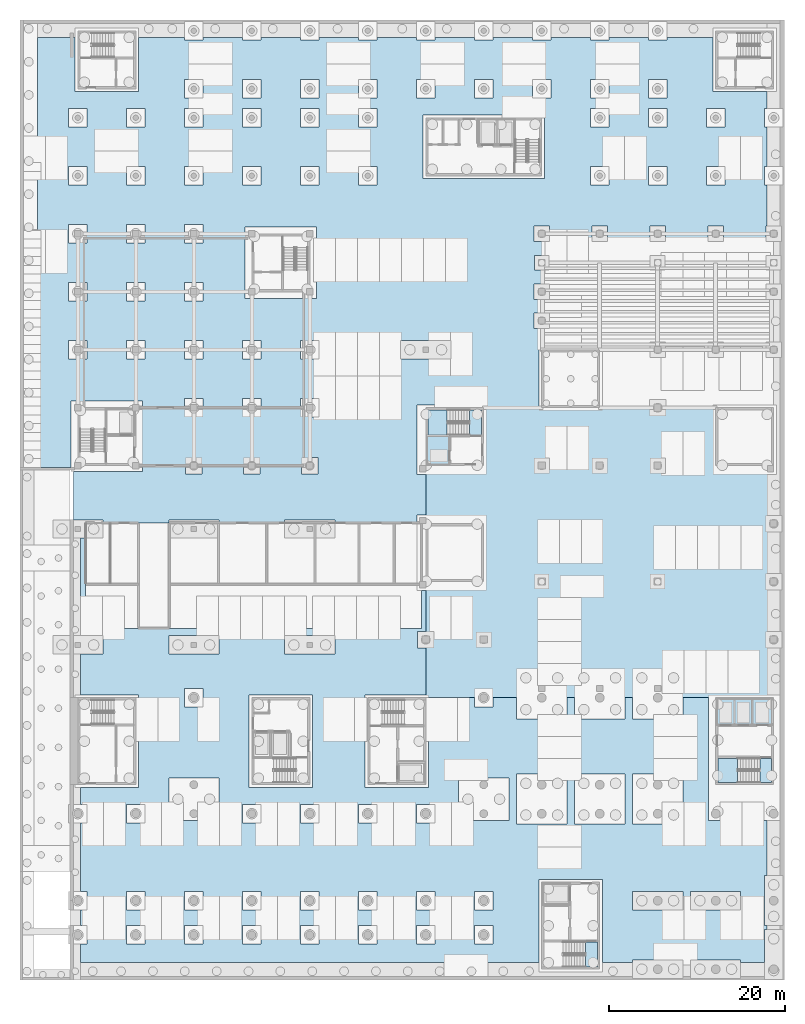
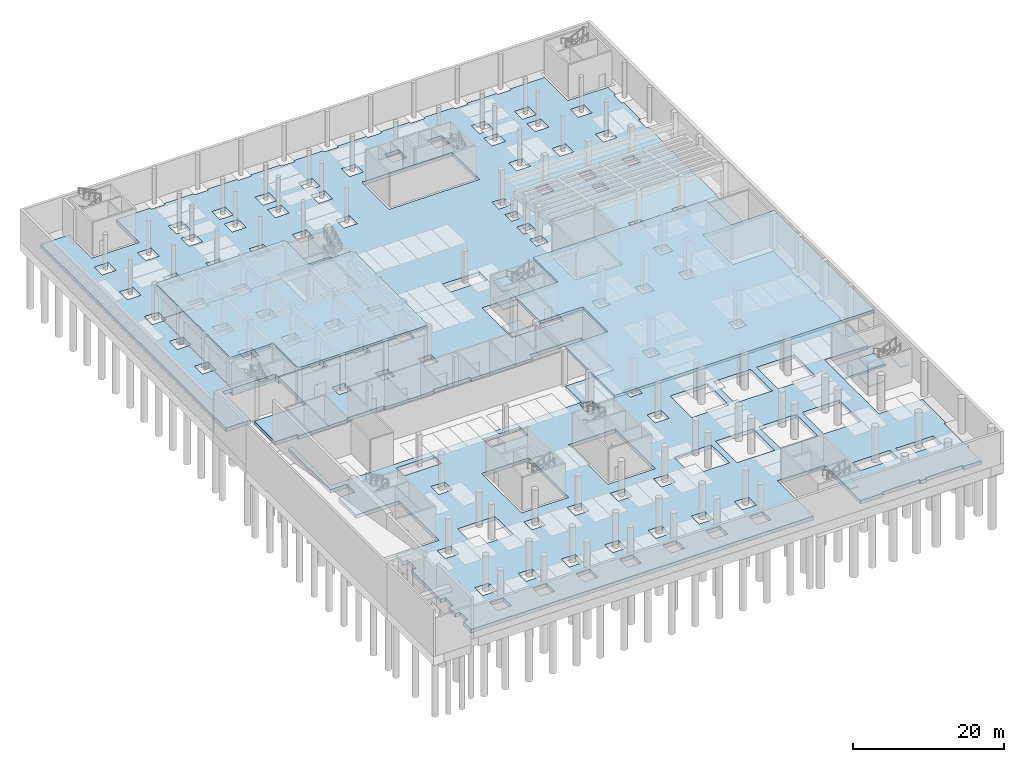
# One storey, part 8 of 38: 13 slabs, 3 elements without a shape of their own.
"""IFC4 building model written with IfcOpenShell, lengths in metres."""

from ifc_helpers import new_model, si_unit, direction, frame, origin, place, context, subcontext, project, spatial, polyline, outline, extrude, material, layer, layer_set, type_object, element, aggregate, save


model = new_model("IFC4")

# Units and contexts
model_context = context("Model", 3, precision=1e-05, world=origin(), true_north=direction((0.0, 1.0)))
body_context = subcontext(model_context, "Body", "Model", "MODEL_VIEW")
ifc_project = project(units=[si_unit("LENGTHUNIT", "METRE"), si_unit("AREAUNIT", "SQUARE_METRE"), si_unit("VOLUMEUNIT", "CUBIC_METRE"), si_unit("PLANEANGLEUNIT", "RADIAN"), si_unit("MASSUNIT", "GRAM", prefix="KILO")], contexts=[model_context])

# Site, building, storey
site_placement = place(None, origin())
site = spatial("IfcSite", under=ifc_project, at=site_placement, CompositionType="ELEMENT")
building_placement = place(site_placement, origin())
building = spatial("IfcBuilding", under=site, at=building_placement, Name="Lantern Court Research Institute", CompositionType="ELEMENT")
storey_placement = place(building_placement, frame((0.0, 0.0, -5.699951171875)))
storey = spatial("IfcBuildingStorey", under=building, at=storey_placement, Name="B1", CompositionType="ELEMENT", Elevation=-5.699951171875)

# Slabs
ifc_material_1 = material(Name="Concrete C30/37", Category="concrete")
ifc_layer_1 = layer(ifc_material_1, 1.199951171875)
ifc_layer_set_1 = layer_set([ifc_layer_1], Name="Concrete C30/37")
slab_type_1 = type_object("IfcSlabType", Name="Base slab 1200", PredefinedType="BASESLAB", material=ifc_layer_set_1)
slab_1_placement = place(storey_placement, frame((0.0, 0.0, -1.199951171875)))
element("IfcSlab", 1, at=slab_1_placement, inside=storey, type_object=slab_type_1, Name="Base slab BS2", PredefinedType="BASESLAB", context=body_context, shape_type="SweptSolid", body=[
    extrude(outline(polyline([(7.35009765625, 56.85009765625), (0.699951171875, 56.85009765625), (0.699951171875, 61.64990234375), (1.050048828125, 61.64990234375), (1.050048828125, 63.75), (0.699951171875, 63.75), (0.699951171875, 68.25), (1.050048828125, 68.25), (1.050048828125, 70.35009765625), (0.699951171875, 70.35009765625), (0.699951171875, 74.85009765625), (1.050048828125, 74.85009765625), (1.050048828125, 75.39990234375), (5.550048828125, 75.39990234375), (5.550048828125, 74.85009765625), (7.64990234375, 74.85009765625), (7.64990234375, 75.39990234375), (12.14990234375, 75.39990234375), (12.14990234375, 74.85009765625), (14.25, 74.85009765625), (14.25, 75.39990234375), (19.050048828125, 75.39990234375), (19.050048828125, 68.550048828125), (25.699951171875, 68.550048828125), (25.699951171875, 63.75), (25.35009765625, 63.75), (25.35009765625, 61.64990234375), (25.699951171875, 61.64990234375), (25.699951171875, 57.14990234375), (25.35009765625, 57.14990234375), (25.35009765625, 56.10009765625), (20.85009765625, 56.10009765625), (20.85009765625, 57.14990234375), (18.75, 57.14990234375), (18.75, 56.10009765625), (14.25, 56.10009765625), (14.25, 57.14990234375), (12.14990234375, 57.14990234375), (12.14990234375, 56.10009765625), (7.35009765625, 56.10009765625), (7.35009765625, 56.85009765625)]), holes=[polyline([(14.25, 61.64990234375), (14.25, 63.75), (12.14990234375, 63.75), (12.14990234375, 61.64990234375), (14.25, 61.64990234375)]), polyline([(5.550048828125, 61.64990234375), (7.64990234375, 61.64990234375), (7.64990234375, 63.75), (5.550048828125, 63.75), (5.550048828125, 61.64990234375)]), polyline([(7.64990234375, 68.25), (7.64990234375, 70.35009765625), (5.550048828125, 70.35009765625), (5.550048828125, 68.25), (7.64990234375, 68.25)]), polyline([(14.25, 68.25), (14.25, 70.35009765625), (12.14990234375, 70.35009765625), (12.14990234375, 68.25), (14.25, 68.25)]), polyline([(20.85009765625, 61.64990234375), (20.85009765625, 63.75), (18.75, 63.75), (18.75, 61.64990234375), (20.85009765625, 61.64990234375)])]), origin(), (0.0, 0.0, 1.0), 1.199951171875),
])
ifc_material_2 = material(Name="Concrete C30/37", Category="concrete")
ifc_layer_2 = layer(ifc_material_2, 0.60009765625)
ifc_layer_set_2 = layer_set([ifc_layer_2], Name="Concrete C30/37")
slab_type_2 = type_object("IfcSlabType", Name="Base slab 600", PredefinedType="BASESLAB", material=ifc_layer_set_2)
slab_2_placement = place(storey_placement, frame((0.0, 0.0, -0.60009765625)))
element("IfcSlab", 2, at=slab_2_placement, inside=storey, type_object=slab_type_2, Name="Base slab BS4", PredefinedType="BASESLAB", context=body_context, shape_type="SweptSolid", body=[
    extrude(outline(polyline([(12.14990234375, 56.10009765625), (12.14990234375, 55.050048828125), (14.25, 55.050048828125), (14.25, 56.10009765625), (18.75, 56.10009765625), (18.75, 55.050048828125), (20.85009765625, 55.050048828125), (20.85009765625, 56.10009765625), (25.35009765625, 56.10009765625), (25.35009765625, 55.050048828125), (27.449951171875, 55.050048828125), (27.449951171875, 57.14990234375), (25.699951171875, 57.14990234375), (25.699951171875, 61.64990234375), (27.449951171875, 61.64990234375), (27.449951171875, 63.75), (25.699951171875, 63.75), (25.699951171875, 68.550048828125), (27.14990234375, 68.550048828125), (27.14990234375, 76.64990234375), (19.050048828125, 76.64990234375), (19.050048828125, 75.39990234375), (14.25, 75.39990234375), (14.25, 76.949951171875), (12.14990234375, 76.949951171875), (12.14990234375, 75.39990234375), (7.64990234375, 75.39990234375), (7.64990234375, 76.949951171875), (5.550048828125, 76.949951171875), (5.550048828125, 75.39990234375), (1.050048828125, 75.39990234375), (1.050048828125, 76.949951171875), (-1.050048828125, 76.949951171875), (-1.050048828125, 74.85009765625), (0.699951171875, 74.85009765625), (0.699951171875, 70.35009765625), (-1.050048828125, 70.35009765625), (-1.050048828125, 68.25), (0.699951171875, 68.25), (0.699951171875, 63.75), (-1.050048828125, 63.75), (-1.050048828125, 61.64990234375), (0.699951171875, 61.64990234375), (0.699951171875, 56.85009765625), (-0.75, 56.85009765625), (-0.75, 49.300048828125), (-0.89990234375, 49.300048828125), (-4.580078125, 49.300048828125), (-4.580078125, 98.22998046875), (-0.300048828125, 98.22998046875), (-0.300048828125, 92.10009765625), (6.89990234375, 92.10009765625), (6.89990234375, 98.22998046875), (12.14990234375, 98.22998046875), (12.14990234375, 97.949951171875), (14.25, 97.949951171875), (14.25, 98.22998046875), (18.75, 98.22998046875), (18.75, 97.949951171875), (20.85009765625, 97.949951171875), (20.85009765625, 98.22998046875), (25.35009765625, 98.22998046875), (25.35009765625, 97.949951171875), (27.449951171875, 97.949951171875), (27.449951171875, 98.22998046875), (31.949951171875, 98.22998046875), (31.949951171875, 97.949951171875), (34.050048828125, 97.949951171875), (34.050048828125, 98.22998046875), (38.550048828125, 98.22998046875), (38.550048828125, 97.949951171875), (40.64990234375, 97.949951171875), (40.64990234375, 98.22998046875), (45.14990234375, 98.22998046875), (45.14990234375, 97.949951171875), (47.25, 97.949951171875), (47.25, 98.22998046875), (51.75, 98.22998046875), (51.75, 97.949951171875), (53.85009765625, 97.949951171875), (53.85009765625, 98.22998046875), (58.35009765625, 98.22998046875), (58.35009765625, 97.949951171875), (60.449951171875, 97.949951171875), (60.449951171875, 98.22998046875), (64.949951171875, 98.22998046875), (64.949951171875, 97.949951171875), (67.050048828125, 97.949951171875), (67.050048828125, 98.22998046875), (72.300048828125, 98.22998046875), (72.300048828125, 92.10009765625), (78.429931640625, 92.10009765625), (78.429931640625, 90.14990234375), (78.14990234375, 90.14990234375), (78.14990234375, 88.050048828125), (78.429931640625, 88.050048828125), (78.429931640625, 83.550048828125), (78.14990234375, 83.550048828125), (78.14990234375, 81.449951171875), (78.429931640625, 81.449951171875), (78.429931640625, 76.800048828125), (78.300048828125, 76.800048828125), (78.300048828125, 75.0), (78.429931640625, 75.0), (78.429931640625, 73.449951171875), (78.35009765625, 73.449951171875), (78.35009765625, 71.75), (78.429931640625, 71.75), (78.429931640625, 70.199951171875), (78.300048828125, 70.199951171875), (78.300048828125, 68.39990234375), (78.429931640625, 68.39990234375), (78.429931640625, 63.60009765625), (78.300048828125, 63.60009765625), (78.300048828125, 61.800048828125), (78.429931640625, 61.800048828125), (78.429931640625, 56.39990234375), (72.300048828125, 56.39990234375), (72.300048828125, 48.5), (78.429931640625, 48.5), (78.429931640625, 43.85009765625), (78.25, 43.85009765625), (78.25, 41.949951171875), (78.429931640625, 41.949951171875), (78.429931640625, 37.25), (78.25, 37.25), (78.25, 35.35009765625), (78.429931640625, 35.35009765625), (78.429931640625, 30.64990234375), (78.25, 30.64990234375), (78.25, 28.75), (78.429931640625, 28.75), (78.429931640625, 23.39990234375), (71.800048828125, 23.39990234375), (71.800048828125, 9.10009765625), (78.429931640625, 9.10009765625), (78.429931640625, 2.85009765625), (78.14990234375, 2.85009765625), (78.14990234375, -2.85009765625), (78.429931640625, -2.85009765625), (78.429931640625, -3.300048828125), (78.14990234375, -3.300048828125), (78.14990234375, -7.030029296875), (75.449951171875, -7.030029296875), (75.449951171875, -6.75), (69.75, -6.75), (69.75, -7.030029296875), (68.85009765625, -7.030029296875), (68.85009765625, -6.75), (63.14990234375, -6.75), (63.14990234375, -7.030029296875), (59.699951171875, -7.030029296875), (59.699951171875, 2.39990234375), (52.5, 2.39990234375), (52.5, -7.030029296875), (0.300048828125, -7.030029296875), (0.300048828125, -4.949951171875), (1.050048828125, -4.949951171875), (1.050048828125, -2.85009765625), (0.300048828125, -2.85009765625), (0.300048828125, -1.050048828125), (1.050048828125, -1.050048828125), (1.050048828125, 1.050048828125), (0.300048828125, 1.050048828125), (0.300048828125, 8.85009765625), (1.050048828125, 8.85009765625), (1.050048828125, 10.949951171875), (0.300048828125, 10.949951171875), (0.300048828125, 12.89990234375), (6.89990234375, 12.89990234375), (6.89990234375, 23.39990234375), (0.300048828125, 23.39990234375), (0.300048828125, 28.050048828125), (2.85009765625, 28.050048828125), (2.85009765625, 30.14990234375), (0.300048828125, 30.14990234375), (0.300048828125, 41.25), (0.89990234375, 41.25), (0.89990234375, 31.0), (39.10009765625, 31.0), (39.10009765625, 35.300048828125), (46.5, 35.300048828125), (46.5, 43.89990234375), (38.60009765625, 43.89990234375), (38.60009765625, 43.0), (29.25, 43.0), (29.25, 43.35009765625), (23.550048828125, 43.35009765625), (23.550048828125, 43.0), (16.050048828125, 43.0), (16.050048828125, 43.35009765625), (10.35009765625, 43.35009765625), (10.35009765625, 43.0), (2.85009765625, 43.0), (2.85009765625, 43.35009765625), (-0.5, 43.35009765625), (-0.5, 48.85009765625), (7.35009765625, 48.85009765625), (7.35009765625, 56.10009765625), (12.14990234375, 56.10009765625)]), holes=[polyline([(14.25, -2.85009765625), (12.14990234375, -2.85009765625), (12.14990234375, -4.949951171875), (14.25, -4.949951171875), (14.25, -2.85009765625)]), polyline([(7.64990234375, -2.85009765625), (5.550048828125, -2.85009765625), (5.550048828125, -4.949951171875), (7.64990234375, -4.949951171875), (7.64990234375, -2.85009765625)]), polyline([(14.25, 1.050048828125), (12.14990234375, 1.050048828125), (12.14990234375, -1.050048828125), (14.25, -1.050048828125), (14.25, 1.050048828125)]), polyline([(7.64990234375, 1.050048828125), (5.550048828125, 1.050048828125), (5.550048828125, -1.050048828125), (7.64990234375, -1.050048828125), (7.64990234375, 1.050048828125)]), polyline([(7.64990234375, 10.949951171875), (5.550048828125, 10.949951171875), (5.550048828125, 8.85009765625), (7.64990234375, 8.85009765625), (7.64990234375, 10.949951171875)]), polyline([(16.050048828125, 13.949951171875), (10.35009765625, 13.949951171875), (10.35009765625, 9.14990234375), (16.050048828125, 9.14990234375), (16.050048828125, 13.949951171875)]), polyline([(14.25, 24.14990234375), (12.14990234375, 24.14990234375), (12.14990234375, 22.050048828125), (14.25, 22.050048828125), (14.25, 24.14990234375)]), polyline([(16.050048828125, 30.14990234375), (10.35009765625, 30.14990234375), (10.35009765625, 28.050048828125), (16.050048828125, 28.050048828125), (16.050048828125, 30.14990234375)]), polyline([(14.14990234375, 50.449951171875), (12.25, 50.449951171875), (12.25, 48.550048828125), (14.14990234375, 48.550048828125), (14.14990234375, 50.449951171875)]), polyline([(1.050048828125, 83.550048828125), (-1.050048828125, 83.550048828125), (-1.050048828125, 81.449951171875), (1.050048828125, 81.449951171875), (1.050048828125, 83.550048828125)]), polyline([(7.64990234375, 83.550048828125), (5.550048828125, 83.550048828125), (5.550048828125, 81.449951171875), (7.64990234375, 81.449951171875), (7.64990234375, 83.550048828125)]), polyline([(7.64990234375, 88.050048828125), (7.64990234375, 90.14990234375), (5.550048828125, 90.14990234375), (5.550048828125, 88.050048828125), (7.64990234375, 88.050048828125)]), polyline([(1.050048828125, 88.050048828125), (1.050048828125, 90.14990234375), (-1.050048828125, 90.14990234375), (-1.050048828125, 88.050048828125), (1.050048828125, 88.050048828125)]), polyline([(34.050048828125, -2.85009765625), (31.949951171875, -2.85009765625), (31.949951171875, -4.949951171875), (34.050048828125, -4.949951171875), (34.050048828125, -2.85009765625)]), polyline([(20.85009765625, -2.85009765625), (18.75, -2.85009765625), (18.75, -4.949951171875), (20.85009765625, -4.949951171875), (20.85009765625, -2.85009765625)]), polyline([(27.449951171875, -2.85009765625), (25.35009765625, -2.85009765625), (25.35009765625, -4.949951171875), (27.449951171875, -4.949951171875), (27.449951171875, -2.85009765625)]), polyline([(34.050048828125, 1.050048828125), (31.949951171875, 1.050048828125), (31.949951171875, -1.050048828125), (34.050048828125, -1.050048828125), (34.050048828125, 1.050048828125)]), polyline([(20.85009765625, 1.050048828125), (18.75, 1.050048828125), (18.75, -1.050048828125), (20.85009765625, -1.050048828125), (20.85009765625, 1.050048828125)]), polyline([(27.449951171875, 1.050048828125), (25.35009765625, 1.050048828125), (25.35009765625, -1.050048828125), (27.449951171875, -1.050048828125), (27.449951171875, 1.050048828125)]), polyline([(27.449951171875, 8.85009765625), (27.449951171875, 10.949951171875), (25.35009765625, 10.949951171875), (25.35009765625, 8.85009765625), (27.449951171875, 8.85009765625)]), polyline([(20.85009765625, 8.85009765625), (20.85009765625, 10.949951171875), (18.75, 10.949951171875), (18.75, 8.85009765625), (20.85009765625, 8.85009765625)]), polyline([(34.050048828125, 10.949951171875), (31.949951171875, 10.949951171875), (31.949951171875, 8.85009765625), (34.050048828125, 8.85009765625), (34.050048828125, 10.949951171875)]), polyline([(39.89990234375, 23.39990234375), (32.699951171875, 23.39990234375), (32.699951171875, 12.89990234375), (39.89990234375, 12.89990234375), (39.89990234375, 23.39990234375)]), polyline([(26.699951171875, 23.39990234375), (19.5, 23.39990234375), (19.5, 12.89990234375), (26.699951171875, 12.89990234375), (26.699951171875, 23.39990234375)]), polyline([(29.25, 30.14990234375), (23.550048828125, 30.14990234375), (23.550048828125, 28.050048828125), (29.25, 28.050048828125), (29.25, 30.14990234375)]), polyline([(20.75, 50.449951171875), (18.85009765625, 50.449951171875), (18.85009765625, 48.550048828125), (20.75, 48.550048828125), (20.75, 50.449951171875)]), polyline([(27.35009765625, 50.449951171875), (25.449951171875, 50.449951171875), (25.449951171875, 48.550048828125), (27.35009765625, 48.550048828125), (27.35009765625, 50.449951171875)]), polyline([(27.449951171875, 83.550048828125), (25.35009765625, 83.550048828125), (25.35009765625, 81.449951171875), (27.449951171875, 81.449951171875), (27.449951171875, 83.550048828125)]), polyline([(20.85009765625, 83.550048828125), (18.75, 83.550048828125), (18.75, 81.449951171875), (20.85009765625, 81.449951171875), (20.85009765625, 83.550048828125)]), polyline([(14.25, 83.550048828125), (12.14990234375, 83.550048828125), (12.14990234375, 81.449951171875), (14.25, 81.449951171875), (14.25, 83.550048828125)]), polyline([(34.050048828125, 81.449951171875), (34.050048828125, 83.550048828125), (31.949951171875, 83.550048828125), (31.949951171875, 81.449951171875), (34.050048828125, 81.449951171875)]), polyline([(34.050048828125, 88.050048828125), (34.050048828125, 90.14990234375), (31.949951171875, 90.14990234375), (31.949951171875, 88.050048828125), (34.050048828125, 88.050048828125)]), polyline([(20.85009765625, 90.14990234375), (18.75, 90.14990234375), (18.75, 88.050048828125), (20.85009765625, 88.050048828125), (20.85009765625, 90.14990234375)]), polyline([(27.449951171875, 90.14990234375), (25.35009765625, 90.14990234375), (25.35009765625, 88.050048828125), (27.449951171875, 88.050048828125), (27.449951171875, 90.14990234375)]), polyline([(14.25, 90.14990234375), (12.14990234375, 90.14990234375), (12.14990234375, 88.050048828125), (14.25, 88.050048828125), (14.25, 90.14990234375)]), polyline([(20.85009765625, 91.35009765625), (20.85009765625, 93.449951171875), (18.75, 93.449951171875), (18.75, 91.35009765625), (20.85009765625, 91.35009765625)]), polyline([(27.449951171875, 91.35009765625), (27.449951171875, 93.449951171875), (25.35009765625, 93.449951171875), (25.35009765625, 91.35009765625), (27.449951171875, 91.35009765625)]), polyline([(14.25, 93.449951171875), (12.14990234375, 93.449951171875), (12.14990234375, 91.35009765625), (14.25, 91.35009765625), (14.25, 93.449951171875)]), polyline([(34.050048828125, 93.449951171875), (31.949951171875, 93.449951171875), (31.949951171875, 91.35009765625), (34.050048828125, 91.35009765625), (34.050048828125, 93.449951171875)]), polyline([(40.64990234375, -2.85009765625), (38.550048828125, -2.85009765625), (38.550048828125, -4.949951171875), (40.64990234375, -4.949951171875), (40.64990234375, -2.85009765625)]), polyline([(47.25, -2.85009765625), (45.14990234375, -2.85009765625), (45.14990234375, -4.949951171875), (47.25, -4.949951171875), (47.25, -2.85009765625)]), polyline([(40.64990234375, 1.050048828125), (38.550048828125, 1.050048828125), (38.550048828125, -1.050048828125), (40.64990234375, -1.050048828125), (40.64990234375, 1.050048828125)]), polyline([(47.25, -1.050048828125), (47.25, 1.050048828125), (45.14990234375, 1.050048828125), (45.14990234375, -1.050048828125), (47.25, -1.050048828125)]), polyline([(40.64990234375, 8.85009765625), (40.64990234375, 10.949951171875), (38.550048828125, 10.949951171875), (38.550048828125, 8.85009765625), (40.64990234375, 8.85009765625)]), polyline([(55.64990234375, 14.39990234375), (49.949951171875, 14.39990234375), (49.949951171875, 8.699951171875), (55.64990234375, 8.699951171875), (55.64990234375, 14.39990234375)]), polyline([(62.25, 14.39990234375), (56.550048828125, 14.39990234375), (56.550048828125, 8.699951171875), (62.25, 8.699951171875), (62.25, 14.39990234375)]), polyline([(49.050048828125, 13.949951171875), (43.35009765625, 13.949951171875), (43.35009765625, 9.14990234375), (49.050048828125, 9.14990234375), (49.050048828125, 13.949951171875)]), polyline([(47.25, 24.14990234375), (45.14990234375, 24.14990234375), (45.14990234375, 22.050048828125), (47.25, 22.050048828125), (47.25, 24.14990234375)]), polyline([(62.25, 26.39990234375), (56.550048828125, 26.39990234375), (56.550048828125, 20.699951171875), (62.25, 20.699951171875), (62.25, 26.39990234375)]), polyline([(55.64990234375, 26.39990234375), (49.949951171875, 26.39990234375), (49.949951171875, 20.699951171875), (55.64990234375, 20.699951171875), (55.64990234375, 26.39990234375)]), polyline([(40.550048828125, 30.64990234375), (38.64990234375, 30.64990234375), (38.64990234375, 28.75), (40.550048828125, 28.75), (40.550048828125, 30.64990234375)]), polyline([(47.10009765625, 28.800048828125), (47.10009765625, 30.60009765625), (45.300048828125, 30.60009765625), (45.300048828125, 28.800048828125), (47.10009765625, 28.800048828125)]), polyline([(53.64990234375, 35.449951171875), (53.64990234375, 37.14990234375), (51.949951171875, 37.14990234375), (51.949951171875, 35.449951171875), (53.64990234375, 35.449951171875)]), polyline([(53.699951171875, 50.39990234375), (51.89990234375, 50.39990234375), (51.89990234375, 48.60009765625), (53.699951171875, 48.60009765625), (53.699951171875, 50.39990234375)]), polyline([(60.300048828125, 50.39990234375), (58.5, 50.39990234375), (58.5, 48.60009765625), (60.300048828125, 48.60009765625), (60.300048828125, 50.39990234375)]), polyline([(46.5, 56.39990234375), (38.60009765625, 56.39990234375), (38.60009765625, 48.5), (46.5, 48.5), (46.5, 56.39990234375)]), polyline([(59.699951171875, 63.0), (52.5, 63.0), (52.5, 55.800048828125), (59.699951171875, 55.800048828125), (59.699951171875, 63.0)]), polyline([(42.449951171875, 63.75), (36.75, 63.75), (36.75, 61.64990234375), (42.449951171875, 61.64990234375), (42.449951171875, 63.75)]), polyline([(53.699951171875, 66.89990234375), (51.89990234375, 66.89990234375), (51.89990234375, 65.10009765625), (53.699951171875, 65.10009765625), (53.699951171875, 66.89990234375)]), polyline([(53.699951171875, 68.39990234375), (53.699951171875, 70.199951171875), (51.89990234375, 70.199951171875), (51.89990234375, 68.39990234375), (53.699951171875, 68.39990234375)]), polyline([(53.64990234375, 71.75), (53.64990234375, 73.449951171875), (51.949951171875, 73.449951171875), (51.949951171875, 71.75), (53.64990234375, 71.75)]), polyline([(53.699951171875, 76.800048828125), (51.89990234375, 76.800048828125), (51.89990234375, 75.0), (53.699951171875, 75.0), (53.699951171875, 76.800048828125)]), polyline([(60.300048828125, 76.800048828125), (58.5, 76.800048828125), (58.5, 75.0), (60.300048828125, 75.0), (60.300048828125, 76.800048828125)]), polyline([(60.449951171875, 83.550048828125), (58.35009765625, 83.550048828125), (58.35009765625, 81.449951171875), (60.449951171875, 81.449951171875), (60.449951171875, 83.550048828125)]), polyline([(53.10009765625, 82.199951171875), (53.10009765625, 89.39990234375), (39.300048828125, 89.39990234375), (39.300048828125, 82.199951171875), (53.10009765625, 82.199951171875)]), polyline([(60.449951171875, 88.050048828125), (60.449951171875, 90.14990234375), (58.35009765625, 90.14990234375), (58.35009765625, 88.050048828125), (60.449951171875, 88.050048828125)]), polyline([(53.85009765625, 93.449951171875), (51.75, 93.449951171875), (51.75, 91.35009765625), (53.85009765625, 91.35009765625), (53.85009765625, 93.449951171875)]), polyline([(47.25, 93.449951171875), (45.14990234375, 93.449951171875), (45.14990234375, 91.35009765625), (47.25, 91.35009765625), (47.25, 93.449951171875)]), polyline([(40.64990234375, 93.449951171875), (38.550048828125, 93.449951171875), (38.550048828125, 91.35009765625), (40.64990234375, 91.35009765625), (40.64990234375, 93.449951171875)]), polyline([(60.449951171875, 91.35009765625), (60.449951171875, 93.449951171875), (58.35009765625, 93.449951171875), (58.35009765625, 91.35009765625), (60.449951171875, 91.35009765625)]), polyline([(68.85009765625, 1.050048828125), (63.14990234375, 1.050048828125), (63.14990234375, -1.050048828125), (68.85009765625, -1.050048828125), (68.85009765625, 1.050048828125)]), polyline([(75.449951171875, -1.050048828125), (75.449951171875, 1.050048828125), (69.75, 1.050048828125), (69.75, -1.050048828125), (75.449951171875, -1.050048828125)]), polyline([(68.85009765625, 14.39990234375), (63.14990234375, 14.39990234375), (63.14990234375, 8.699951171875), (68.85009765625, 8.699951171875), (68.85009765625, 14.39990234375)]), polyline([(68.85009765625, 26.39990234375), (63.14990234375, 26.39990234375), (63.14990234375, 20.699951171875), (68.85009765625, 20.699951171875), (68.85009765625, 26.39990234375)]), polyline([(66.85009765625, 37.14990234375), (65.14990234375, 37.14990234375), (65.14990234375, 35.449951171875), (66.85009765625, 35.449951171875), (66.85009765625, 37.14990234375)]), polyline([(66.89990234375, 48.60009765625), (66.89990234375, 50.39990234375), (65.10009765625, 50.39990234375), (65.10009765625, 48.60009765625), (66.89990234375, 48.60009765625)]), polyline([(66.949951171875, 57.050048828125), (65.050048828125, 57.050048828125), (65.050048828125, 55.14990234375), (66.949951171875, 55.14990234375), (66.949951171875, 57.050048828125)]), polyline([(73.5, 63.60009765625), (71.699951171875, 63.60009765625), (71.699951171875, 61.800048828125), (73.5, 61.800048828125), (73.5, 63.60009765625)]), polyline([(66.89990234375, 63.60009765625), (65.10009765625, 63.60009765625), (65.10009765625, 61.800048828125), (66.89990234375, 61.800048828125), (66.89990234375, 63.60009765625)]), polyline([(66.85009765625, 73.449951171875), (65.14990234375, 73.449951171875), (65.14990234375, 71.75), (66.85009765625, 71.75), (66.85009765625, 73.449951171875)]), polyline([(66.89990234375, 75.0), (66.89990234375, 76.800048828125), (65.10009765625, 76.800048828125), (65.10009765625, 75.0), (66.89990234375, 75.0)]), polyline([(73.5, 75.0), (73.5, 76.800048828125), (71.699951171875, 76.800048828125), (71.699951171875, 75.0), (73.5, 75.0)]), polyline([(73.64990234375, 83.550048828125), (71.550048828125, 83.550048828125), (71.550048828125, 81.449951171875), (73.64990234375, 81.449951171875), (73.64990234375, 83.550048828125)]), polyline([(67.050048828125, 81.449951171875), (67.050048828125, 83.550048828125), (64.949951171875, 83.550048828125), (64.949951171875, 81.449951171875), (67.050048828125, 81.449951171875)]), polyline([(73.64990234375, 88.050048828125), (73.64990234375, 90.14990234375), (71.550048828125, 90.14990234375), (71.550048828125, 88.050048828125), (73.64990234375, 88.050048828125)]), polyline([(67.050048828125, 90.14990234375), (64.949951171875, 90.14990234375), (64.949951171875, 88.050048828125), (67.050048828125, 88.050048828125), (67.050048828125, 90.14990234375)]), polyline([(67.050048828125, 93.449951171875), (64.949951171875, 93.449951171875), (64.949951171875, 91.35009765625), (67.050048828125, 91.35009765625), (67.050048828125, 93.449951171875)])]), origin(), (0.0, 0.0, 1.0), 0.60009765625),
])
ifc_material_3 = material(Name="Concrete C35/45", Category="concrete")
ifc_layer_3 = layer(ifc_material_3, 0.35009765625)
ifc_layer_set_3 = layer_set([ifc_layer_3], Name="Concrete C35/45")
slab_type_3 = type_object("IfcSlabType", Name="Clean room floor slab 350", PredefinedType="FLOOR", material=ifc_layer_set_3)
slab_3_placement = place(storey_placement, frame((0.0, 0.0, 5.349853515625)))
element("IfcSlab", 3, at=slab_3_placement, inside=storey, type_object=slab_type_3, Name="Clean room floor slab L00", PredefinedType="FLOOR", context=body_context, shape_type="SweptSolid", body=[
    extrude(outline(polyline([(19.800048828125, 75.89990234375), (19.800048828125, 69.300048828125), (26.39990234375, 69.300048828125), (26.39990234375, 49.5), (6.60009765625, 49.5), (6.60009765625, 56.10009765625), (0.0, 56.10009765625), (0.0, 75.89990234375), (19.800048828125, 75.89990234375)])), origin(), (0.0, 0.0, 1.0), 0.35009765625),
])
ifc_material_4 = material(Name="Concrete C35/45", Category="concrete")
ifc_layer_4 = layer(ifc_material_4, 0.449951171875)
ifc_layer_set_4 = layer_set([ifc_layer_4], Name="Concrete C35/45")
slab_type_4 = type_object("IfcSlabType", Name="Hall ground floor slab 450", PredefinedType="FLOOR", material=ifc_layer_set_4)
slab_4_placement = place(storey_placement, frame((0.0, 0.0, 5.25)))
element("IfcSlab", 4, at=slab_4_placement, inside=storey, type_object=slab_type_4, Name="Atrium ground floor slab", PredefinedType="FLOOR", context=body_context, shape_type="SweptSolid", body=[
    extrude(outline(polyline([(39.60009765625, 23.10009765625), (39.60009765625, 36.300048828125), (46.199951171875, 36.300048828125), (46.199951171875, 42.89990234375), (39.60009765625, 42.89990234375), (39.60009765625, 49.5), (46.199951171875, 49.5), (46.199951171875, 56.10009765625), (72.60009765625, 56.10009765625), (72.60009765625, 49.5), (79.199951171875, 49.5), (79.199951171875, 23.10009765625), (39.60009765625, 23.10009765625)])), origin(), (0.0, 0.0, 1.0), 0.449951171875),
])
ifc_material_5 = material(Name="Concrete C30/37", Category="concrete")
ifc_layer_5 = layer(ifc_material_5, 0.300048828125)
ifc_layer_set_5 = layer_set([ifc_layer_5], Name="Concrete C30/37")
slab_type_5 = type_object("IfcSlabType", Name="RC lift pit slab 300", PredefinedType="BASESLAB", material=ifc_layer_set_5)
slab_5_placement = place(storey_placement, frame((0.0, 0.0, -1.5)))
element("IfcSlab", 5, at=slab_5_placement, inside=storey, type_object=slab_type_5, Name="Lift pit floor of core TC-E", PredefinedType="BASESLAB", context=body_context, shape_type="SweptSolid", body=[
    extrude(outline(polyline([(72.64990234375, 19.949951171875), (79.14990234375, 19.949951171875), (79.14990234375, 23.050048828125), (72.64990234375, 23.050048828125), (72.64990234375, 19.949951171875)])), origin(), (0.0, 0.0, 1.0), 0.300048828125),
])
slab_6_placement = place(storey_placement, frame((0.0, 0.0, -1.5)))
element("IfcSlab", 6, at=slab_6_placement, inside=storey, type_object=slab_type_5, Name="Lift pit floor of core HC-A", PredefinedType="BASESLAB", context=body_context, shape_type="SweptSolid", body=[
    extrude(outline(polyline([(39.64990234375, 49.550048828125), (42.35009765625, 49.550048828125), (42.35009765625, 53.0), (39.64990234375, 53.0), (39.64990234375, 49.550048828125)])), origin(), (0.0, 0.0, 1.0), 0.300048828125),
])

# Stair, slab
ifc_material_6 = material(Name="Concrete C40/50", Category="concrete")
stair_type_1 = type_object("IfcStairType", Name="RC half-turn stair 1350 wide, 5700 rise, 6100 shaft", PredefinedType="HALF_TURN_STAIR", material=ifc_material_6)
stair_1_placement = place(storey_placement, origin())
stair_1 = element("IfcStair", 7, at=stair_1_placement, inside=storey, type_object=stair_type_1, Name="B1 stair ST-T1", PredefinedType="HALF_TURN_STAIR")
ifc_material_7 = material(Name="Concrete C40/50", Category="concrete")
ifc_layer_6 = layer(ifc_material_7, 0.199951171875)
ifc_layer_set_6 = layer_set([ifc_layer_6], Name="Concrete C40/50")
slab_type_6 = type_object("IfcSlabType", Name="RC stair landing 200", PredefinedType="LANDING", material=ifc_layer_set_6)
slab_7_placement = place(storey_placement, frame((0.0, 0.0, 2.64990234375)))
slab_7 = element("IfcSlab", 8, at=slab_7_placement, type_object=slab_type_6, Name="ST-T1 landing 2", PredefinedType="LANDING", context=body_context, shape_type="SweptSolid", body=[
    extrude(outline(polyline([(59.14990234375, -4.699951171875), (57.800048828125, -4.699951171875), (57.800048828125, -7.550048828125), (59.14990234375, -7.550048828125), (59.14990234375, -4.699951171875)])), origin(), (0.0, 0.0, 1.0), 0.199951171875),
])
aggregate(stair_1, [slab_7])

# Stair, slabs
ifc_material_8 = material(Name="Concrete C40/50", Category="concrete")
stair_type_2 = type_object("IfcStairType", Name="RC half-turn stair 1300 wide, 5700 rise, 6100 shaft", PredefinedType="HALF_TURN_STAIR", material=ifc_material_8)
stair_2_placement = place(storey_placement, origin())
stair_2 = element("IfcStair", 9, at=stair_2_placement, inside=storey, type_object=stair_type_2, Name="B1 stair ST-T2", PredefinedType="HALF_TURN_STAIR")
slab_8_placement = place(storey_placement, frame((0.0, 0.0, 1.224853515625)))
slab_8 = element("IfcSlab", 10, at=slab_8_placement, type_object=slab_type_6, Name="ST-T2 landing 1", PredefinedType="LANDING", context=body_context, shape_type="SweptSolid", body=[
    extrude(outline(polyline([(75.090087890625, 16.199951171875), (72.85009765625, 16.199951171875), (72.85009765625, 13.449951171875), (75.090087890625, 13.449951171875), (75.090087890625, 16.199951171875)])), origin(), (0.0, 0.0, 1.0), 0.2001953125),
])
slab_9_placement = place(storey_placement, frame((0.0, 0.0, 2.64990234375)))
slab_9 = element("IfcSlab", 11, at=slab_9_placement, type_object=slab_type_6, Name="ST-T2 landing 2", PredefinedType="LANDING", context=body_context, shape_type="SweptSolid", body=[
    extrude(outline(polyline([(78.949951171875, 16.199951171875), (77.64990234375, 16.199951171875), (77.64990234375, 13.449951171875), (78.949951171875, 13.449951171875), (78.949951171875, 16.199951171875)])), origin(), (0.0, 0.0, 1.0), 0.199951171875),
])
slab_10_placement = place(storey_placement, frame((0.0, 0.0, 4.074951171875)))
slab_10 = element("IfcSlab", 12, at=slab_10_placement, type_object=slab_type_6, Name="ST-T2 landing 3", PredefinedType="LANDING", context=body_context, shape_type="SweptSolid", body=[
    extrude(outline(polyline([(75.090087890625, 16.199951171875), (72.85009765625, 16.199951171875), (72.85009765625, 13.449951171875), (75.090087890625, 13.449951171875), (75.090087890625, 16.199951171875)])), origin(), (0.0, 0.0, 1.0), 0.199951171875),
])
aggregate(stair_2, [slab_8, slab_9, slab_10])

stair_3_placement = place(storey_placement, origin())
stair_3 = element("IfcStair", 13, at=stair_3_placement, inside=storey, type_object=stair_type_1, Name="B1 stair ST-H1", PredefinedType="HALF_TURN_STAIR")
slab_11_placement = place(storey_placement, frame((0.0, 0.0, 1.224853515625)))
slab_11 = element("IfcSlab", 14, at=slab_11_placement, type_object=slab_type_6, Name="ST-H1 landing 1", PredefinedType="LANDING", context=body_context, shape_type="SweptSolid", body=[
    extrude(outline(polyline([(42.0400390625, 55.85009765625), (39.85009765625, 55.85009765625), (39.85009765625, 53.0), (42.0400390625, 53.0), (42.0400390625, 55.85009765625)])), origin(), (0.0, 0.0, 1.0), 0.2001953125),
])
slab_12_placement = place(storey_placement, frame((0.0, 0.0, 2.64990234375)))
slab_12 = element("IfcSlab", 15, at=slab_12_placement, type_object=slab_type_6, Name="ST-H1 landing 2", PredefinedType="LANDING", context=body_context, shape_type="SweptSolid", body=[
    extrude(outline(polyline([(45.949951171875, 55.85009765625), (44.60009765625, 55.85009765625), (44.60009765625, 53.0), (45.949951171875, 53.0), (45.949951171875, 55.85009765625)])), origin(), (0.0, 0.0, 1.0), 0.199951171875),
])
slab_13_placement = place(storey_placement, frame((0.0, 0.0, 4.074951171875)))
slab_13 = element("IfcSlab", 16, at=slab_13_placement, type_object=slab_type_6, Name="ST-H1 landing 3", PredefinedType="LANDING", context=body_context, shape_type="SweptSolid", body=[
    extrude(outline(polyline([(42.0400390625, 55.85009765625), (39.85009765625, 55.85009765625), (39.85009765625, 53.0), (42.0400390625, 53.0), (42.0400390625, 55.85009765625)])), origin(), (0.0, 0.0, 1.0), 0.199951171875),
])
aggregate(stair_3, [slab_11, slab_12, slab_13])

save(model, "model.ifc")
